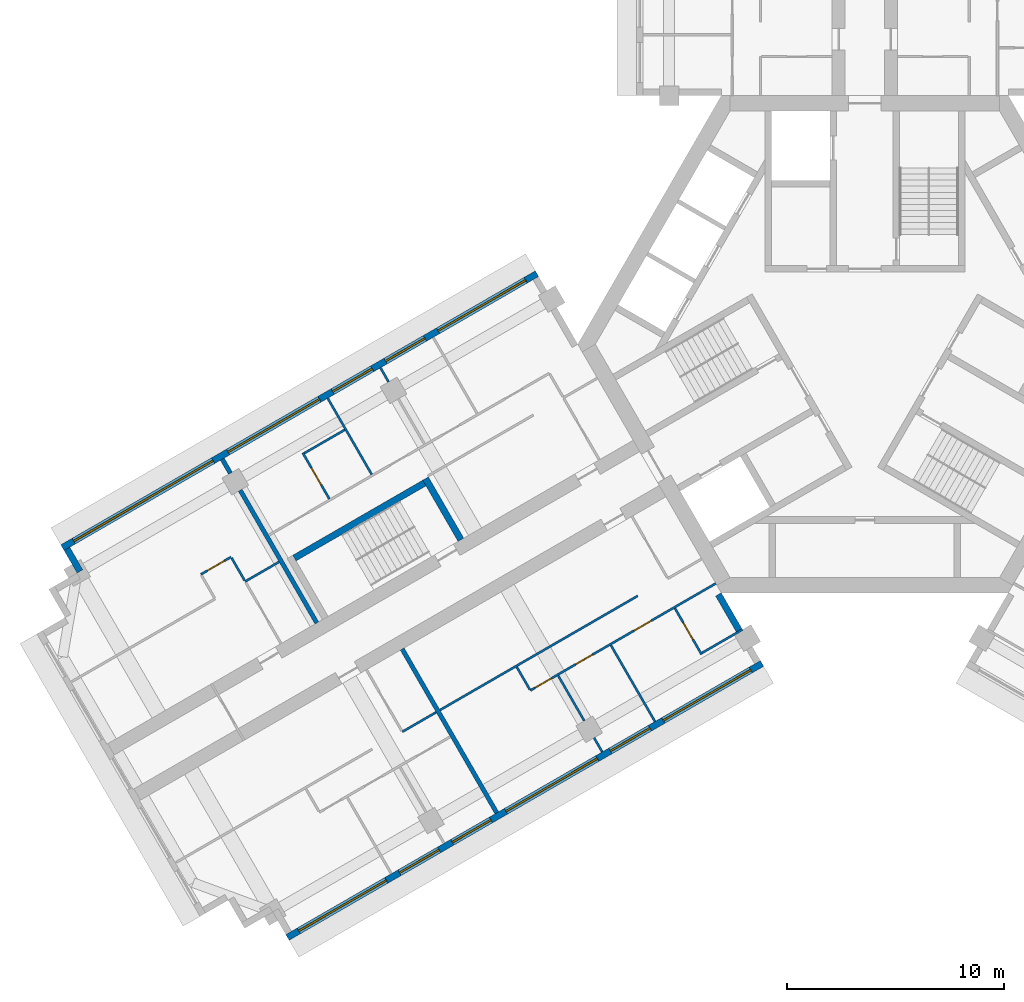
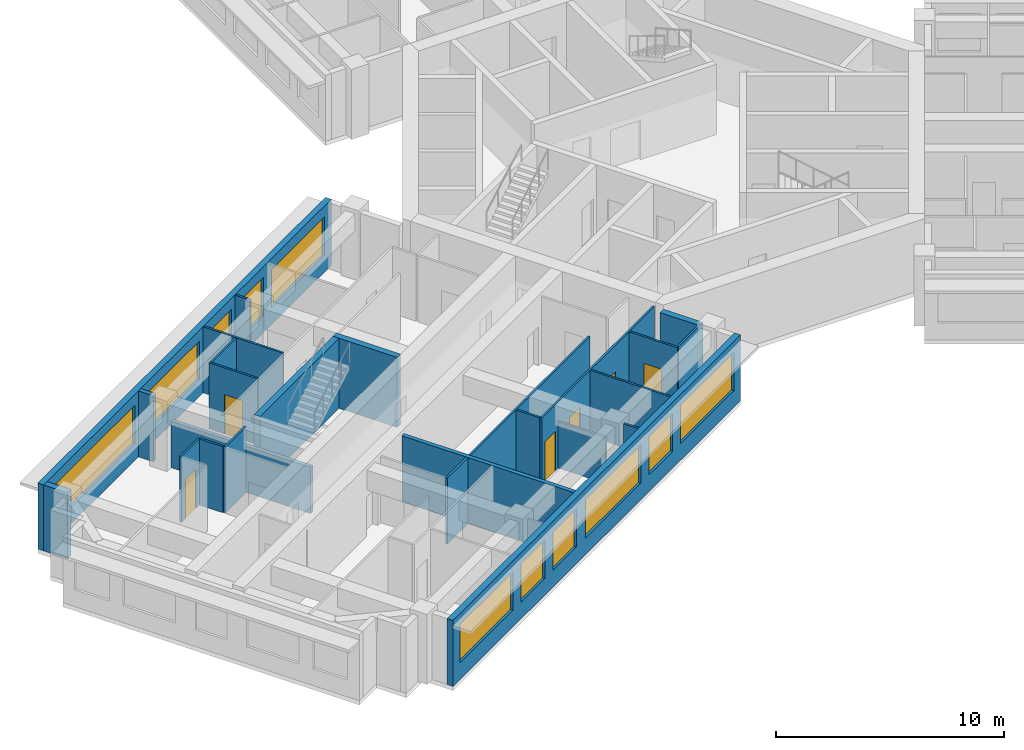
# One storey, part 3 of 11: 25 walls, 11 windows, 6 doors, 17 openings.
"""IFC4 building model written with IfcOpenShell, lengths in metres."""

import ifcopenshell
import ifcopenshell.guid

model = None  # the IFC model being written
_history = None  # IfcOwnerHistory: only IFC2X3 demands one
_inside = {}  # id of a spatial element -> (the spatial element, [elements in it])
_under = {}  # id of a project, library or spatial element -> (it, [spatial elements below it])
_declared = {}  # id of a project -> (the project, [libraries it declares])
_typed = {}  # id of a type object -> (the type object, [elements of that type])
_made_of = {}  # id of a material, layer set ... -> (it, [elements and type objects made of it])


def new_model(schema):
    """Start an empty IFC model of exactly this schema.

    Asked for "IFC4X3", IfcOpenShell would pick the latest addendum, in which some entities
    have other attributes; the version numbers below select the first issue.
    IFC2X3 requires an IfcOwnerHistory on every rooted entity: one is made here for all.
    """
    global model, _history
    if schema == "IFC4X3":
        model = ifcopenshell.file(schema_version=(4, 3, 0, 0))
    else:
        model = ifcopenshell.file(schema=schema)
    _inside.clear()
    _under.clear()
    _declared.clear()
    _typed.clear()
    _made_of.clear()
    _history = None
    if model.schema == "IFC2X3":
        org = make("IfcOrganization", Name="unknown")
        user = make(
            "IfcPersonAndOrganization",
            ThePerson=make("IfcPerson", FamilyName="unknown"),
            TheOrganization=org,
        )
        app = make(
            "IfcApplication",
            ApplicationDeveloper=org,
            Version="unknown",
            ApplicationFullName="unknown",
            ApplicationIdentifier="unknown",
        )
        _history = make(
            "IfcOwnerHistory",
            OwningUser=user,
            OwningApplication=app,
            ChangeAction="ADDED",
            CreationDate=0,
        )
    return model


def make(cls, **values):
    """One entity of the class cls with the attributes given. An attribute that is None is left unset."""
    return model.create_entity(
        cls, **{name: value for name, value in values.items() if value is not None}
    )


def rooted(cls, **values):
    """An entity with a GlobalId (a new one), such as an element, a storey or a relation."""
    return make(cls, GlobalId=ifcopenshell.guid.new(), OwnerHistory=_history, **values)


def si_unit(unit_type, name, prefix=None):
    """IfcSIUnit, for example si_unit("LENGTHUNIT", "METRE", prefix="MILLI")."""
    return make("IfcSIUnit", UnitType=unit_type, Prefix=prefix, Name=name)


def assignment(units):
    """IfcUnitAssignment: the units of a project."""
    return None if units is None else make("IfcUnitAssignment", Units=units)


def point(xyz):
    """IfcCartesianPoint."""
    return None if xyz is None else make("IfcCartesianPoint", Coordinates=xyz)


def direction(xyz):
    """IfcDirection."""
    return None if xyz is None else make("IfcDirection", DirectionRatios=xyz)


def frame(location, z_axis=None, x_axis=None):
    """IfcAxis2Placement3D, a coordinate frame: its origin and axes. An axis left out is left unset."""
    return make(
        "IfcAxis2Placement3D",
        Location=point(location),
        Axis=direction(z_axis),
        RefDirection=direction(x_axis),
    )


def frame_2d(location, x_axis=None):
    """IfcAxis2Placement2D, a coordinate frame in the plane: its origin and x axis."""
    return make(
        "IfcAxis2Placement2D", Location=point(location), RefDirection=direction(x_axis)
    )


def origin():
    """The frame at (0, 0, 0) with its axes left unset."""
    return frame((0.0, 0.0, 0.0))


def place(relative_to, where):
    """IfcLocalPlacement: puts the frame where relative to a parent placement (None: the world)."""
    return make(
        "IfcLocalPlacement", PlacementRelTo=relative_to, RelativePlacement=where
    )


def context(
    kind, dimensions, precision=None, world=None, true_north=None, identifier=None
):
    """IfcGeometricRepresentationContext, for example the 3D "Model" context."""
    return make(
        "IfcGeometricRepresentationContext",
        ContextIdentifier=identifier,
        ContextType=kind,
        CoordinateSpaceDimension=dimensions,
        Precision=precision,
        WorldCoordinateSystem=world,
        TrueNorth=true_north,
    )


def subcontext(parent, identifier, kind, view, scale=None):
    """IfcGeometricRepresentationSubContext, for example "Body" below "Model"."""
    return make(
        "IfcGeometricRepresentationSubContext",
        ContextIdentifier=identifier,
        ContextType=kind,
        ParentContext=parent,
        TargetScale=scale,
        TargetView=view,
    )


def project(units=None, contexts=None):
    """IfcProject with its units and contexts."""
    return rooted(
        "IfcProject",
        Name="project",
        RepresentationContexts=contexts,
        UnitsInContext=assignment(units),
    )


def spatial(cls, under=None, at=None, **own):
    """A site, building, storey or space (cls), placed at a placement, below another one or the project."""
    s = rooted(cls, ObjectPlacement=at, **own)
    if under is not None:
        _under.setdefault(under.id(), (under, []))[1].append(s)
    return s


def profile(cls, at=None, kind="AREA", **sizes):
    """A parametric profile (cls). Its sizes go by their IFC names, for example OverallWidth=200.0."""
    return make(cls, ProfileType=kind, Position=at, **sizes)


def rectangle(**sizes):
    """IfcRectangleProfileDef."""
    return profile("IfcRectangleProfileDef", **sizes)


def extrude(swept, where, along, depth):
    """IfcExtrudedAreaSolid: the profile swept, set in the frame where, extruded along a direction by depth."""
    return make(
        "IfcExtrudedAreaSolid",
        SweptArea=swept,
        Position=where,
        ExtrudedDirection=direction(along),
        Depth=depth,
    )


def shape(context_of_items, identifier, shape_type, items):
    """IfcShapeRepresentation: the items that make up one representation, for example the "Body"."""
    return make(
        "IfcShapeRepresentation",
        ContextOfItems=context_of_items,
        RepresentationIdentifier=identifier,
        RepresentationType=shape_type,
        Items=items,
    )


def material(Name=None, Category=None):
    """IfcMaterial."""
    return make("IfcMaterial", Name=Name, Category=Category)


def layer(
    of_material, thickness, ventilated=None, Name=None, Category=None, Priority=None
):
    """IfcMaterialLayer: one layer of a wall or slab, of a material (None: an air gap)."""
    return make(
        "IfcMaterialLayer",
        Material=of_material,
        LayerThickness=thickness,
        IsVentilated=ventilated,
        Name=Name,
        Category=Category,
        Priority=Priority,
    )


def layer_set(layers, Name=None):
    """IfcMaterialLayerSet."""
    return make("IfcMaterialLayerSet", MaterialLayers=layers, LayerSetName=Name)


def made_of(thing, what):
    """Note that an element or type object is made of a material, layer set ...; save() writes the relation."""
    if what is not None:
        _made_of.setdefault(what.id(), (what, []))[1].append(thing)
    return thing


def type_object(cls, material=None, **own):
    """A type object (cls), such as IfcWallType, which elements share."""
    return made_of(rooted(cls, **own), material)


def element(
    cls,
    number,
    at=None,
    inside=None,
    cuts=None,
    type_object=None,
    material=None,
    context=None,
    identifier="Body",
    shape_type=None,
    held_by="IfcProductDefinitionShape",
    body=None,
    shapes=None,
    **own,
):
    """One element of the class cls, such as IfcWall. Its Tag is "e" and its number.

    at: its placement. inside: the storey or other place that contains it. cuts: it is an
    opening in that element (IfcRelVoidsElement). A single representation is given by context,
    identifier, shape_type and body (its items); several are given by shapes. held_by: the class
    of the entity that holds the representations. save() writes the other relations.
    """
    e = rooted(cls, Tag="e%d" % number, ObjectPlacement=at, **own)
    if body is not None:
        shapes = [shape(context, identifier, shape_type, body)]
    if shapes is not None:
        e.Representation = make(held_by, Representations=shapes)
    if inside is not None:
        _inside.setdefault(inside.id(), (inside, []))[1].append(e)
    if cuts is not None:
        rooted(
            "IfcRelVoidsElement", RelatingBuildingElement=cuts, RelatedOpeningElement=e
        )
    if type_object is not None:
        _typed.setdefault(type_object.id(), (type_object, []))[1].append(e)
    return made_of(e, material)


def fill(opening, filler):
    """IfcRelFillsElement: the door or window that sits in an opening."""
    return rooted(
        "IfcRelFillsElement",
        RelatingOpeningElement=opening,
        RelatedBuildingElement=filler,
    )


def aggregate(whole, parts):
    """IfcRelAggregates: a whole, such as a stair, and the parts it consists of."""
    return rooted("IfcRelAggregates", RelatingObject=whole, RelatedObjects=parts)


def save(model, path):
    """Write the relations noted so far, then the file.

    IfcRelAggregates (storeys below a building ...), IfcRelContainedInSpatialStructure (elements
    in a storey), IfcRelDefinesByType, IfcRelAssociatesMaterial and IfcRelDeclares: one each for
    every whole, place, type object, material and project.
    """
    for whole, parts in _under.values():
        aggregate(whole, parts)
    for where, things in _inside.values():
        rooted(
            "IfcRelContainedInSpatialStructure",
            RelatedElements=things,
            RelatingStructure=where,
        )
    for kind, things in _typed.values():
        rooted("IfcRelDefinesByType", RelatedObjects=things, RelatingType=kind)
    for what, things in _made_of.values():
        rooted("IfcRelAssociatesMaterial", RelatedObjects=things, RelatingMaterial=what)
    for by, libraries in _declared.values():
        rooted("IfcRelDeclares", RelatingContext=by, RelatedDefinitions=libraries)
    model.write(path)


model = new_model("IFC4")

# Units and contexts
model_context = context("Model", 3, precision=1e-05, world=origin(), true_north=direction((0.0, 1.0)))
body_context = subcontext(model_context, "Body", "Model", "MODEL_VIEW")
ifc_project = project(units=[si_unit("LENGTHUNIT", "METRE"), si_unit("AREAUNIT", "SQUARE_METRE"), si_unit("VOLUMEUNIT", "CUBIC_METRE"), si_unit("PLANEANGLEUNIT", "RADIAN"), si_unit("MASSUNIT", "GRAM", prefix="KILO")], contexts=[model_context])

# Site, building, storey
site_placement = place(None, origin())
site = spatial("IfcSite", under=ifc_project, at=site_placement, CompositionType="ELEMENT")
building_placement = place(site_placement, origin())
building = spatial("IfcBuilding", under=site, at=building_placement, Name="Impinga Residences", CompositionType="ELEMENT")
storey_placement = place(building_placement, frame((0.0, 0.0, 207.25)))
storey = spatial("IfcBuildingStorey", under=building, at=storey_placement, Name="L51", CompositionType="ELEMENT", Elevation=207.25)

# Wall
ifc_material_1 = material(Name="Terracotta rainscreen on blockwork", Category="masonry")
ifc_layer_1 = layer(ifc_material_1, 0.300048828125)
ifc_layer_set_1 = layer_set([ifc_layer_1], Name="EW1 external wall, terracotta rainscreen on blockwork 300")
wall_type_1 = type_object("IfcWallType", Name="EW1 external wall, terracotta rainscreen on blockwork 300", PredefinedType="SOLIDWALL", material=ifc_layer_set_1)
wall_1_placement = place(storey_placement, frame((-36.093994140625, -10.446533203125, 0.0), z_axis=(0.0, 0.0, 1.0), x_axis=(-0.499880961361, 0.866094119867, 0.0)))
element("IfcWall", 1, at=wall_1_placement, inside=storey, type_object=wall_type_1, Name="External wall EW1 L51", PredefinedType="SOLIDWALL", context=body_context, shape_type="SweptSolid", body=[
    extrude(rectangle(XDim=1.199951171875, YDim=0.300048828125, at=frame_2d((0.60009765625, 0.0))), origin(), (0.0, 0.0, 1.0), 3.530029296875),
])

# Wall, openings, windows
wall_2_placement = place(storey_placement, frame((-36.89892578125, -9.352294921875, 0.0), z_axis=(0.0, 0.0, 1.0), x_axis=(0.86602925447, 0.499993330357, 0.0)))
wall_2 = element("IfcWall", 2, at=wall_2_placement, inside=storey, type_object=wall_type_1, Name="External wall EW1 L51", PredefinedType="SOLIDWALL", context=body_context, shape_type="SweptSolid", body=[
    extrude(rectangle(XDim=25.199951171875, YDim=0.300048828125, at=frame_2d((12.60009765625, 0.0))), origin(), (0.0, 0.0, 1.0), 3.530029296875),
])
opening_1_placement = place(wall_2_placement, frame((0.60009765625, 0.0, 0.89990234375)))
opening_1 = element("IfcOpeningElement", 3, at=opening_1_placement, cuts=wall_2, Name="Opening W12", PredefinedType="OPENING", context=body_context, shape_type="SweptSolid", body=[
    extrude(rectangle(XDim=7.39990234375, YDim=2.050048828125, at=frame_2d((3.699951171875, 1.02490234375))), frame((0.0, 0.159912109375, 0.0), z_axis=(0.0, -1.0, 0.0), x_axis=(1.0, 0.0, 0.0)), (0.0, 0.0, 1.0), 0.320068359375),
])
opening_2_placement = place(wall_2_placement, frame((8.800048828125, 0.0, 0.89990234375)))
opening_2 = element("IfcOpeningElement", 4, at=opening_2_placement, cuts=wall_2, Name="Opening W6", PredefinedType="OPENING", context=body_context, shape_type="SweptSolid", body=[
    extrude(rectangle(XDim=4.85009765625, YDim=2.050048828125, at=frame_2d((2.425048828125, 1.02490234375))), frame((0.0, 0.159912109375, 0.0), z_axis=(0.0, -1.0, 0.0), x_axis=(1.0, 0.0, 0.0)), (0.0, 0.0, 1.0), 0.320068359375),
])
opening_3_placement = place(wall_2_placement, frame((14.35009765625, 0.0, 0.89990234375)))
opening_3 = element("IfcOpeningElement", 5, at=opening_3_placement, cuts=wall_2, Name="Opening W9", PredefinedType="OPENING", context=body_context, shape_type="SweptSolid", body=[
    extrude(rectangle(XDim=2.10009765625, YDim=2.050048828125, at=frame_2d((1.050048828125, 1.02490234375))), frame((0.0, 0.159912109375, 0.0), z_axis=(0.0, -1.0, 0.0), x_axis=(1.0, 0.0, 0.0)), (0.0, 0.0, 1.0), 0.320068359375),
])
opening_4_placement = place(wall_2_placement, frame((17.14990234375, 0.0, 0.89990234375)))
opening_4 = element("IfcOpeningElement", 6, at=opening_4_placement, cuts=wall_2, Name="Opening W9", PredefinedType="OPENING", context=body_context, shape_type="SweptSolid", body=[
    extrude(rectangle(XDim=2.10009765625, YDim=2.050048828125, at=frame_2d((1.050048828125, 1.02490234375))), frame((0.0, 0.159912109375, 0.0), z_axis=(0.0, -1.0, 0.0), x_axis=(1.0, 0.0, 0.0)), (0.0, 0.0, 1.0), 0.320068359375),
])
opening_5_placement = place(wall_2_placement, frame((19.949951171875, 0.0, 0.89990234375)))
opening_5 = element("IfcOpeningElement", 7, at=opening_5_placement, cuts=wall_2, Name="Opening W10", PredefinedType="OPENING", context=body_context, shape_type="SweptSolid", body=[
    extrude(rectangle(XDim=4.64990234375, YDim=2.050048828125, at=frame_2d((2.324951171875, 1.02490234375))), frame((0.0, 0.159912109375, 0.0), z_axis=(0.0, -1.0, 0.0), x_axis=(1.0, 0.0, 0.0)), (0.0, 0.0, 1.0), 0.320068359375),
])
ifc_material_2 = material(Name="Aluminium window, clear double glazing", Category="aluminium")
window_type_1 = type_object("IfcWindowType", Name="W10 ribbon window 4650x2050", PartitioningType="SINGLE_PANEL", PredefinedType="WINDOW", material=ifc_material_2)
window_1_placement = place(opening_5_placement, origin())
window_1 = element("IfcWindow", 8, at=window_1_placement, inside=storey, type_object=window_type_1, Name="Window L51", OverallHeight=2.050048828125, OverallWidth=4.64990234375, PartitioningType="SINGLE_PANEL", PredefinedType="WINDOW", context=body_context, shape_type="SweptSolid", body=[
    extrude(rectangle(XDim=4.64990234375, YDim=2.050048828125, at=frame_2d((2.324951171875, 1.02490234375))), frame((0.0, 0.030029296875, 0.0), z_axis=(0.0, -1.0, 0.0), x_axis=(1.0, 0.0, 0.0)), (0.0, 0.0, 1.0), 0.06005859375),
])
fill(opening_5, window_1)
window_type_2 = type_object("IfcWindowType", Name="W12 ribbon window 7400x2050", PartitioningType="SINGLE_PANEL", PredefinedType="WINDOW", material=ifc_material_2)
window_2_placement = place(opening_1_placement, origin())
window_2 = element("IfcWindow", 9, at=window_2_placement, inside=storey, type_object=window_type_2, Name="Window L51", OverallHeight=2.050048828125, OverallWidth=7.39990234375, PartitioningType="SINGLE_PANEL", PredefinedType="WINDOW", context=body_context, shape_type="SweptSolid", body=[
    extrude(rectangle(XDim=7.39990234375, YDim=2.050048828125, at=frame_2d((3.699951171875, 1.02490234375))), frame((0.0, 0.030029296875, 0.0), z_axis=(0.0, -1.0, 0.0), x_axis=(1.0, 0.0, 0.0)), (0.0, 0.0, 1.0), 0.06005859375),
])
fill(opening_1, window_2)
window_type_3 = type_object("IfcWindowType", Name="W6 ribbon window 4850x2050", PartitioningType="SINGLE_PANEL", PredefinedType="WINDOW", material=ifc_material_2)
window_3_placement = place(opening_2_placement, origin())
window_3 = element("IfcWindow", 10, at=window_3_placement, inside=storey, type_object=window_type_3, Name="Window L51", OverallHeight=2.050048828125, OverallWidth=4.85009765625, PartitioningType="SINGLE_PANEL", PredefinedType="WINDOW", context=body_context, shape_type="SweptSolid", body=[
    extrude(rectangle(XDim=4.85009765625, YDim=2.050048828125, at=frame_2d((2.425048828125, 1.02490234375))), frame((0.0, 0.030029296875, 0.0), z_axis=(0.0, -1.0, 0.0), x_axis=(1.0, 0.0, 0.0)), (0.0, 0.0, 1.0), 0.06005859375),
])
fill(opening_2, window_3)
window_type_4 = type_object("IfcWindowType", Name="W9 ribbon window 2100x2050", PartitioningType="SINGLE_PANEL", PredefinedType="WINDOW", material=ifc_material_2)
window_4_placement = place(opening_3_placement, origin())
window_4 = element("IfcWindow", 11, at=window_4_placement, inside=storey, type_object=window_type_4, Name="Window L51", OverallHeight=2.050048828125, OverallWidth=2.10009765625, PartitioningType="SINGLE_PANEL", PredefinedType="WINDOW", context=body_context, shape_type="SweptSolid", body=[
    extrude(rectangle(XDim=2.10009765625, YDim=2.050048828125, at=frame_2d((1.050048828125, 1.02490234375))), frame((0.0, 0.030029296875, 0.0), z_axis=(0.0, -1.0, 0.0), x_axis=(1.0, 0.0, 0.0)), (0.0, 0.0, 1.0), 0.06005859375),
])
fill(opening_3, window_4)
window_5_placement = place(opening_4_placement, origin())
window_5 = element("IfcWindow", 12, at=window_5_placement, inside=storey, type_object=window_type_4, Name="Window L51", OverallHeight=2.050048828125, OverallWidth=2.10009765625, PartitioningType="SINGLE_PANEL", PredefinedType="WINDOW", context=body_context, shape_type="SweptSolid", body=[
    extrude(rectangle(XDim=2.10009765625, YDim=2.050048828125, at=frame_2d((1.050048828125, 1.02490234375))), frame((0.0, 0.030029296875, 0.0), z_axis=(0.0, -1.0, 0.0), x_axis=(1.0, 0.0, 0.0)), (0.0, 0.0, 1.0), 0.06005859375),
])
fill(opening_4, window_5)

# Wall
wall_3_placement = place(storey_placement, frame((-6.72998046875, -11.506591796875, 0.0), z_axis=(0.0, 0.0, 1.0), x_axis=(0.500043961785, -0.866000020948, 0.0)))
element("IfcWall", 13, at=wall_3_placement, inside=storey, type_object=wall_type_1, Name="External wall EW1 L51", PredefinedType="SOLIDWALL", context=body_context, shape_type="SweptSolid", body=[
    extrude(rectangle(XDim=1.949951171875, YDim=0.300048828125, at=frame_2d((0.97509765625, 0.0))), origin(), (0.0, 0.0, 1.0), 3.530029296875),
])

# Wall, openings, windows
wall_4_placement = place(storey_placement, frame((-4.72509765625, -14.67919921875, 0.0), z_axis=(0.0, 0.0, 1.0), x_axis=(-0.866026832479, -0.499997525421, 0.0)))
wall_4 = element("IfcWall", 14, at=wall_4_placement, inside=storey, type_object=wall_type_1, Name="External wall EW1 L51", PredefinedType="SOLIDWALL", context=body_context, shape_type="SweptSolid", body=[
    extrude(rectangle(XDim=25.199951171875, YDim=0.300048828125, at=frame_2d((12.60009765625, 0.0))), origin(), (0.0, 0.0, 1.0), 3.530029296875),
])
opening_6_placement = place(wall_4_placement, frame((0.60009765625, 0.0, 0.89990234375)))
opening_6 = element("IfcOpeningElement", 15, at=opening_6_placement, cuts=wall_4, Name="Opening W10", PredefinedType="OPENING", context=body_context, shape_type="SweptSolid", body=[
    extrude(rectangle(XDim=4.64990234375, YDim=2.050048828125, at=frame_2d((2.324951171875, 1.02490234375))), frame((0.0, 0.159912109375, 0.0), z_axis=(0.0, -1.0, 0.0), x_axis=(1.0, 0.0, 0.0)), (0.0, 0.0, 1.0), 0.320068359375),
])
opening_7_placement = place(wall_4_placement, frame((5.949951171875, 0.0, 0.89990234375)))
opening_7 = element("IfcOpeningElement", 16, at=opening_7_placement, cuts=wall_4, Name="Opening W9", PredefinedType="OPENING", context=body_context, shape_type="SweptSolid", body=[
    extrude(rectangle(XDim=2.10009765625, YDim=2.050048828125, at=frame_2d((1.050048828125, 1.02490234375))), frame((0.0, 0.159912109375, 0.0), z_axis=(0.0, -1.0, 0.0), x_axis=(1.0, 0.0, 0.0)), (0.0, 0.0, 1.0), 0.320068359375),
])
opening_8_placement = place(wall_4_placement, frame((8.75, 0.0, 0.89990234375)))
opening_8 = element("IfcOpeningElement", 17, at=opening_8_placement, cuts=wall_4, Name="Opening W6", PredefinedType="OPENING", context=body_context, shape_type="SweptSolid", body=[
    extrude(rectangle(XDim=4.85009765625, YDim=2.050048828125, at=frame_2d((2.425048828125, 1.02490234375))), frame((0.0, 0.159912109375, 0.0), z_axis=(0.0, -1.0, 0.0), x_axis=(1.0, 0.0, 0.0)), (0.0, 0.0, 1.0), 0.320068359375),
])
opening_9_placement = place(wall_4_placement, frame((14.39990234375, 0.0, 0.89990234375)))
opening_9 = element("IfcOpeningElement", 18, at=opening_9_placement, cuts=wall_4, Name="Opening W14", PredefinedType="OPENING", context=body_context, shape_type="SweptSolid", body=[
    extrude(rectangle(XDim=2.050048828125, YDim=2.050048828125, at=frame_2d((1.02490234375, 1.02490234375))), frame((0.0, 0.159912109375, 0.0), z_axis=(0.0, -1.0, 0.0), x_axis=(1.0, 0.0, 0.0)), (0.0, 0.0, 1.0), 0.320068359375),
])
opening_10_placement = place(wall_4_placement, frame((17.14990234375, 0.0, 0.89990234375)))
opening_10 = element("IfcOpeningElement", 19, at=opening_10_placement, cuts=wall_4, Name="Opening W9", PredefinedType="OPENING", context=body_context, shape_type="SweptSolid", body=[
    extrude(rectangle(XDim=2.10009765625, YDim=2.050048828125, at=frame_2d((1.050048828125, 1.02490234375))), frame((0.0, 0.159912109375, 0.0), z_axis=(0.0, -1.0, 0.0), x_axis=(1.0, 0.0, 0.0)), (0.0, 0.0, 1.0), 0.320068359375),
])
opening_11_placement = place(wall_4_placement, frame((19.949951171875, 0.0, 0.89990234375)))
opening_11 = element("IfcOpeningElement", 20, at=opening_11_placement, cuts=wall_4, Name="Opening W10", PredefinedType="OPENING", context=body_context, shape_type="SweptSolid", body=[
    extrude(rectangle(XDim=4.64990234375, YDim=2.050048828125, at=frame_2d((2.324951171875, 1.02490234375))), frame((0.0, 0.159912109375, 0.0), z_axis=(0.0, -1.0, 0.0), x_axis=(1.0, 0.0, 0.0)), (0.0, 0.0, 1.0), 0.320068359375),
])
window_6_placement = place(opening_6_placement, origin())
window_6 = element("IfcWindow", 21, at=window_6_placement, inside=storey, type_object=window_type_1, Name="Window L51", OverallHeight=2.050048828125, OverallWidth=4.64990234375, PartitioningType="SINGLE_PANEL", PredefinedType="WINDOW", context=body_context, shape_type="SweptSolid", body=[
    extrude(rectangle(XDim=4.64990234375, YDim=2.050048828125, at=frame_2d((2.324951171875, 1.02490234375))), frame((0.0, 0.030029296875, 0.0), z_axis=(0.0, -1.0, 0.0), x_axis=(1.0, 0.0, 0.0)), (0.0, 0.0, 1.0), 0.06005859375),
])
fill(opening_6, window_6)
window_7_placement = place(opening_11_placement, origin())
window_7 = element("IfcWindow", 22, at=window_7_placement, inside=storey, type_object=window_type_1, Name="Window L51", OverallHeight=2.050048828125, OverallWidth=4.64990234375, PartitioningType="SINGLE_PANEL", PredefinedType="WINDOW", context=body_context, shape_type="SweptSolid", body=[
    extrude(rectangle(XDim=4.64990234375, YDim=2.050048828125, at=frame_2d((2.324951171875, 1.02490234375))), frame((0.0, 0.030029296875, 0.0), z_axis=(0.0, -1.0, 0.0), x_axis=(1.0, 0.0, 0.0)), (0.0, 0.0, 1.0), 0.06005859375),
])
fill(opening_11, window_7)
window_type_5 = type_object("IfcWindowType", Name="W14 ribbon window 2050x2050", PartitioningType="SINGLE_PANEL", PredefinedType="WINDOW", material=ifc_material_2)
window_8_placement = place(opening_9_placement, origin())
window_8 = element("IfcWindow", 23, at=window_8_placement, inside=storey, type_object=window_type_5, Name="Window L51", OverallHeight=2.050048828125, OverallWidth=2.050048828125, PartitioningType="SINGLE_PANEL", PredefinedType="WINDOW", context=body_context, shape_type="SweptSolid", body=[
    extrude(rectangle(XDim=2.050048828125, YDim=2.050048828125, at=frame_2d((1.02490234375, 1.02490234375))), frame((0.0, 0.030029296875, 0.0), z_axis=(0.0, -1.0, 0.0), x_axis=(1.0, 0.0, 0.0)), (0.0, 0.0, 1.0), 0.06005859375),
])
fill(opening_9, window_8)
window_9_placement = place(opening_8_placement, origin())
window_9 = element("IfcWindow", 24, at=window_9_placement, inside=storey, type_object=window_type_3, Name="Window L51", OverallHeight=2.050048828125, OverallWidth=4.85009765625, PartitioningType="SINGLE_PANEL", PredefinedType="WINDOW", context=body_context, shape_type="SweptSolid", body=[
    extrude(rectangle(XDim=4.85009765625, YDim=2.050048828125, at=frame_2d((2.425048828125, 1.02490234375))), frame((0.0, 0.030029296875, 0.0), z_axis=(0.0, -1.0, 0.0), x_axis=(1.0, 0.0, 0.0)), (0.0, 0.0, 1.0), 0.06005859375),
])
fill(opening_8, window_9)
window_10_placement = place(opening_7_placement, origin())
window_10 = element("IfcWindow", 25, at=window_10_placement, inside=storey, type_object=window_type_4, Name="Window L51", OverallHeight=2.050048828125, OverallWidth=2.10009765625, PartitioningType="SINGLE_PANEL", PredefinedType="WINDOW", context=body_context, shape_type="SweptSolid", body=[
    extrude(rectangle(XDim=2.10009765625, YDim=2.050048828125, at=frame_2d((1.050048828125, 1.02490234375))), frame((0.0, 0.030029296875, 0.0), z_axis=(0.0, -1.0, 0.0), x_axis=(1.0, 0.0, 0.0)), (0.0, 0.0, 1.0), 0.06005859375),
])
fill(opening_7, window_10)
window_11_placement = place(opening_10_placement, origin())
window_11 = element("IfcWindow", 26, at=window_11_placement, inside=storey, type_object=window_type_4, Name="Window L51", OverallHeight=2.050048828125, OverallWidth=2.10009765625, PartitioningType="SINGLE_PANEL", PredefinedType="WINDOW", context=body_context, shape_type="SweptSolid", body=[
    extrude(rectangle(XDim=2.10009765625, YDim=2.050048828125, at=frame_2d((1.050048828125, 1.02490234375))), frame((0.0, 0.030029296875, 0.0), z_axis=(0.0, -1.0, 0.0), x_axis=(1.0, 0.0, 0.0)), (0.0, 0.0, 1.0), 0.06005859375),
])
fill(opening_10, window_11)

# Wall
ifc_material_3 = material(Name="Gypsum board on steel studs", Category="steel")
ifc_layer_2 = layer(ifc_material_3, 0.10009765625)
ifc_layer_set_2 = layer_set([ifc_layer_2], Name="Gypsum board on steel studs")
wall_type_2 = type_object("IfcWallType", Name="IP1 partition 100", PredefinedType="PARTITIONING", material=ifc_layer_set_2)
wall_5_placement = place(storey_placement, frame((-10.444580078125, -11.57275390625, 0.0), z_axis=(0.0, 0.0, 1.0), x_axis=(-0.866025284237, -0.500000207062, 0.0)))
element("IfcWall", 27, at=wall_5_placement, inside=storey, type_object=wall_type_2, Name="Partition L51-WA1:DIV1", PredefinedType="PARTITIONING", context=body_context, shape_type="SweptSolid", body=[
    extrude(rectangle(XDim=10.5, YDim=0.10009765625, at=frame_2d((5.25, 0.0))), origin(), (0.0, 0.0, 1.0), 3.530029296875),
])

# Wall, openings, doors
wall_6_placement = place(storey_placement, frame((-6.85009765625, -10.99853515625, 0.0), z_axis=(0.0, 0.0, 1.0), x_axis=(-0.866021308241, -0.500007093622, 0.0)))
wall_6 = element("IfcWall", 28, at=wall_6_placement, inside=storey, type_object=wall_type_2, Name="Partition L51-WA1:STRIP", PredefinedType="PARTITIONING", context=body_context, shape_type="SweptSolid", body=[
    extrude(rectangle(XDim=9.849853515625, YDim=0.10009765625, at=frame_2d((4.9248046875, 0.0))), origin(), (0.0, 0.0, 1.0), 3.530029296875),
])
opening_12_placement = place(wall_6_placement, frame((3.449951171875, 0.0, 0.0)))
opening_12 = element("IfcOpeningElement", 29, at=opening_12_placement, cuts=wall_6, Name="Opening D2", PredefinedType="OPENING", context=body_context, shape_type="SweptSolid", body=[
    extrude(rectangle(XDim=0.89990234375, YDim=2.10009765625, at=frame_2d((0.449951171875, 1.050048828125))), frame((0.0, 0.06005859375, 0.0), z_axis=(0.0, -1.0, 0.0), x_axis=(1.0, 0.0, 0.0)), (0.0, 0.0, 1.0), 0.1201171875),
])
opening_13_placement = place(wall_6_placement, frame((6.550048828125, 0.0, 0.0)))
opening_13 = element("IfcOpeningElement", 30, at=opening_13_placement, cuts=wall_6, Name="Opening D2", PredefinedType="OPENING", context=body_context, shape_type="SweptSolid", body=[
    extrude(rectangle(XDim=0.89990234375, YDim=2.10009765625, at=frame_2d((0.449951171875, 1.050048828125))), frame((0.0, 0.06005859375, 0.0), z_axis=(0.0, -1.0, 0.0), x_axis=(1.0, 0.0, 0.0)), (0.0, 0.0, 1.0), 0.1201171875),
])
opening_14_placement = place(wall_6_placement, frame((8.699951171875, 0.0, 0.0)))
opening_14 = element("IfcOpeningElement", 31, at=opening_14_placement, cuts=wall_6, Name="Opening D2", PredefinedType="OPENING", context=body_context, shape_type="SweptSolid", body=[
    extrude(rectangle(XDim=0.89990234375, YDim=2.10009765625, at=frame_2d((0.449951171875, 1.050048828125))), frame((0.0, 0.06005859375, 0.0), z_axis=(0.0, -1.0, 0.0), x_axis=(1.0, 0.0, 0.0)), (0.0, 0.0, 1.0), 0.1201171875),
])
ifc_material_4 = material(Name="Timber door set", Category="wood")
door_type = type_object("IfcDoorType", Name="D2 internal door 900x2100", OperationType="SINGLE_SWING_LEFT", PredefinedType="DOOR", material=ifc_material_4)
door_1_placement = place(opening_12_placement, origin())
door_1 = element("IfcDoor", 32, at=door_1_placement, inside=storey, type_object=door_type, Name="Apartment L51-WA1 room door", OperationType="SINGLE_SWING_LEFT", OverallHeight=2.10009765625, OverallWidth=0.89990234375, PredefinedType="DOOR", context=body_context, shape_type="SweptSolid", body=[
    extrude(rectangle(XDim=0.89990234375, YDim=2.10009765625, at=frame_2d((0.449951171875, 1.050048828125))), frame((0.0, 0.02490234375, 0.0), z_axis=(0.0, -1.0, 0.0), x_axis=(1.0, 0.0, 0.0)), (0.0, 0.0, 1.0), 0.050048828125),
])
fill(opening_12, door_1)
door_2_placement = place(opening_13_placement, origin())
door_2 = element("IfcDoor", 33, at=door_2_placement, inside=storey, type_object=door_type, Name="Apartment L51-WA1 room door", OperationType="SINGLE_SWING_RIGHT", OverallHeight=2.10009765625, OverallWidth=0.89990234375, PredefinedType="DOOR", context=body_context, shape_type="SweptSolid", body=[
    extrude(rectangle(XDim=0.89990234375, YDim=2.10009765625, at=frame_2d((0.449951171875, 1.050048828125))), frame((0.0, 0.02490234375, 0.0), z_axis=(0.0, -1.0, 0.0), x_axis=(1.0, 0.0, 0.0)), (0.0, 0.0, 1.0), 0.050048828125),
])
fill(opening_13, door_2)
door_3_placement = place(opening_14_placement, origin())
door_3 = element("IfcDoor", 34, at=door_3_placement, inside=storey, type_object=door_type, Name="Apartment L51-WA1 room door", OperationType="SINGLE_SWING_RIGHT", OverallHeight=2.10009765625, OverallWidth=0.89990234375, PredefinedType="DOOR", context=body_context, shape_type="SweptSolid", body=[
    extrude(rectangle(XDim=0.89990234375, YDim=2.10009765625, at=frame_2d((0.449951171875, 1.050048828125))), frame((0.0, 0.02490234375, 0.0), z_axis=(0.0, -1.0, 0.0), x_axis=(1.0, 0.0, 0.0)), (0.0, 0.0, 1.0), 0.050048828125),
])
fill(opening_14, door_3)

# Walls
wall_7_placement = place(storey_placement, frame((-16.00537109375, -14.841064453125, 0.0), z_axis=(0.0, 0.0, 1.0), x_axis=(0.50012165622, -0.865955154139, 0.0)))
element("IfcWall", 35, at=wall_7_placement, inside=storey, type_object=wall_type_2, Name="Partition L51-WA1:SE1", PredefinedType="PARTITIONING", context=body_context, shape_type="SweptSolid", body=[
    extrude(rectangle(XDim=1.199951171875, YDim=0.10009765625, at=frame_2d((0.60009765625, 0.0))), origin(), (0.0, 0.0, 1.0), 3.530029296875),
])
wall_8_placement = place(storey_placement, frame((-11.6748046875, -13.841796875, 0.0), z_axis=(0.0, 0.0, 1.0), x_axis=(0.500035537042, -0.866004885491, 0.0)))
element("IfcWall", 36, at=wall_8_placement, inside=storey, type_object=wall_type_2, Name="Partition L51-WA1:OB1", PredefinedType="PARTITIONING", context=body_context, shape_type="SweptSolid", body=[
    extrude(rectangle(XDim=4.050048828125, YDim=0.10009765625, at=frame_2d((2.02490234375, 0.0))), origin(), (0.0, 0.0, 1.0), 3.530029296875),
])
wall_9_placement = place(storey_placement, frame((-14.099609375, -15.241943359375, 0.0), z_axis=(0.0, 0.0, 1.0), x_axis=(0.500001309137, -0.866024647952, 0.0)))
element("IfcWall", 37, at=wall_9_placement, inside=storey, type_object=wall_type_2, Name="Partition L51-WA1:OB2", PredefinedType="PARTITIONING", context=body_context, shape_type="SweptSolid", body=[
    extrude(rectangle(XDim=2.39990234375, YDim=0.10009765625, at=frame_2d((1.199951171875, 0.0))), origin(), (0.0, 0.0, 1.0), 2.47998046875),
])
wall_10_placement = place(storey_placement, frame((-12.44970703125, -18.099609375, 0.0), z_axis=(0.0, 0.0, 1.0), x_axis=(0.499919672301, -0.866071776036, 0.0)))
element("IfcWall", 38, at=wall_10_placement, inside=storey, type_object=wall_type_2, Name="Partition L51-WA1:OB2b", PredefinedType="PARTITIONING", context=body_context, shape_type="SweptSolid", body=[
    extrude(rectangle(XDim=0.75, YDim=0.10009765625, at=frame_2d((0.375, 0.0))), origin(), (0.0, 0.0, 1.0), 3.530029296875),
])

# Wall, opening, door
wall_11_placement = place(storey_placement, frame((-8.730224609375, -12.141845703125, 0.0), z_axis=(0.0, 0.0, 1.0), x_axis=(0.499943856944, -0.866057815567, 0.0)))
wall_11 = element("IfcWall", 39, at=wall_11_placement, inside=storey, type_object=wall_type_2, Name="Partition L51-WA1:EN1", PredefinedType="PARTITIONING", context=body_context, shape_type="SweptSolid", body=[
    extrude(rectangle(XDim=2.449951171875, YDim=0.10009765625, at=frame_2d((1.22509765625, 0.0))), origin(), (0.0, 0.0, 1.0), 3.530029296875),
])
opening_15_placement = place(wall_11_placement, frame((0.75, 0.0, 0.0)))
opening_15 = element("IfcOpeningElement", 40, at=opening_15_placement, cuts=wall_11, Name="Opening D2", PredefinedType="OPENING", context=body_context, shape_type="SweptSolid", body=[
    extrude(rectangle(XDim=0.89990234375, YDim=2.10009765625, at=frame_2d((0.449951171875, 1.050048828125))), frame((0.0, 0.06005859375, 0.0), z_axis=(0.0, -1.0, 0.0), x_axis=(1.0, 0.0, 0.0)), (0.0, 0.0, 1.0), 0.1201171875),
])
door_4_placement = place(opening_15_placement, origin())
door_4 = element("IfcDoor", 41, at=door_4_placement, inside=storey, type_object=door_type, Name="Apartment L51-WA1 en-suite door", OperationType="SINGLE_SWING_LEFT", OverallHeight=2.10009765625, OverallWidth=0.89990234375, PredefinedType="DOOR", context=body_context, shape_type="SweptSolid", body=[
    extrude(rectangle(XDim=0.89990234375, YDim=2.10009765625, at=frame_2d((0.449951171875, 1.050048828125))), frame((0.0, 0.02490234375, 0.0), z_axis=(0.0, -1.0, 0.0), x_axis=(1.0, 0.0, 0.0)), (0.0, 0.0, 1.0), 0.050048828125),
])
fill(opening_15, door_4)

# Walls
wall_12_placement = place(storey_placement, frame((-5.625, -13.120361328125, 0.0), z_axis=(0.0, 0.0, 1.0), x_axis=(-0.866047553582, -0.499961633463, 0.0)))
element("IfcWall", 42, at=wall_12_placement, inside=storey, type_object=wall_type_2, Name="Partition L51-WA1:EN2", PredefinedType="PARTITIONING", context=body_context, shape_type="SweptSolid", body=[
    extrude(rectangle(XDim=2.150146484375, YDim=0.10009765625, at=frame_2d((1.0751953125, 0.0))), origin(), (0.0, 0.0, 1.0), 3.530029296875),
])
wall_13_placement = place(storey_placement, frame((-19.7109375, -16.922607421875, 0.0), z_axis=(0.0, 0.0, 1.0), x_axis=(-0.865989075817, -0.500062916607, 0.0)))
element("IfcWall", 43, at=wall_13_placement, inside=storey, type_object=wall_type_2, Name="Partition L51-WA2:DIV0", PredefinedType="PARTITIONING", context=body_context, shape_type="SweptSolid", body=[
    extrude(rectangle(XDim=1.800048828125, YDim=0.10009765625, at=frame_2d((0.89990234375, 0.0))), origin(), (0.0, 0.0, 1.0), 3.530029296875),
])
wall_14_placement = place(storey_placement, frame((-21.899658203125, -1.73193359375, 0.0), z_axis=(0.0, 0.0, 1.0), x_axis=(-0.499919672301, 0.866071776036, 0.0)))
element("IfcWall", 44, at=wall_14_placement, inside=storey, type_object=wall_type_2, Name="Partition L51-WF1:OB2b", PredefinedType="PARTITIONING", context=body_context, shape_type="SweptSolid", body=[
    extrude(rectangle(XDim=0.75, YDim=0.10009765625, at=frame_2d((0.375, 0.0))), origin(), (0.0, 0.0, 1.0), 3.530029296875),
])
wall_15_placement = place(storey_placement, frame((-22.674560546875, -5.98974609375, 0.0), z_axis=(0.0, 0.0, 1.0), x_axis=(-0.499990325971, 0.866030989016, 0.0)))
element("IfcWall", 45, at=wall_15_placement, inside=storey, type_object=wall_type_2, Name="Partition L51-WF1:OB3", PredefinedType="PARTITIONING", context=body_context, shape_type="SweptSolid", body=[
    extrude(rectangle(XDim=4.0498046875, YDim=0.10009765625, at=frame_2d((2.02490234375, 0.0))), origin(), (0.0, 0.0, 1.0), 3.530029296875),
])

# Wall, opening, door
wall_16_placement = place(storey_placement, frame((-24.623046875, -7.11474609375, 0.0), z_axis=(0.0, 0.0, 1.0), x_axis=(-0.500018594424, 0.866014668023, 0.0)))
wall_16 = element("IfcWall", 46, at=wall_16_placement, inside=storey, type_object=wall_type_2, Name="Partition L51-WF1:EN1", PredefinedType="PARTITIONING", context=body_context, shape_type="SweptSolid", body=[
    extrude(rectangle(XDim=2.4501953125, YDim=0.10009765625, at=frame_2d((1.22509765625, 0.0))), origin(), (0.0, 0.0, 1.0), 3.530029296875),
])
opening_16_placement = place(wall_16_placement, frame((0.75, 0.0, 0.0)))
opening_16 = element("IfcOpeningElement", 47, at=opening_16_placement, cuts=wall_16, Name="Opening D2", PredefinedType="OPENING", context=body_context, shape_type="SweptSolid", body=[
    extrude(rectangle(XDim=0.89990234375, YDim=2.10009765625, at=frame_2d((0.449951171875, 1.050048828125))), frame((0.0, 0.06005859375, 0.0), z_axis=(0.0, -1.0, 0.0), x_axis=(1.0, 0.0, 0.0)), (0.0, 0.0, 1.0), 0.1201171875),
])
door_5_placement = place(opening_16_placement, origin())
door_5 = element("IfcDoor", 48, at=door_5_placement, inside=storey, type_object=door_type, Name="Apartment L51-WF1 en-suite door", OperationType="SINGLE_SWING_LEFT", OverallHeight=2.10009765625, OverallWidth=0.89990234375, PredefinedType="DOOR", context=body_context, shape_type="SweptSolid", body=[
    extrude(rectangle(XDim=0.89990234375, YDim=2.10009765625, at=frame_2d((0.449951171875, 1.050048828125))), frame((0.0, 0.02490234375, 0.0), z_axis=(0.0, -1.0, 0.0), x_axis=(1.0, 0.0, 0.0)), (0.0, 0.0, 1.0), 0.050048828125),
])
fill(opening_16, door_5)

# Walls
wall_17_placement = place(storey_placement, frame((-23.917724609375, -3.936279296875, 0.0), z_axis=(0.0, 0.0, 1.0), x_axis=(-0.866047553582, -0.499961633463, 0.0)))
element("IfcWall", 49, at=wall_17_placement, inside=storey, type_object=wall_type_2, Name="Partition L51-WF1:EN2", PredefinedType="PARTITIONING", context=body_context, shape_type="SweptSolid", body=[
    extrude(rectangle(XDim=2.150146484375, YDim=0.10009765625, at=frame_2d((1.0751953125, 0.0))), origin(), (0.0, 0.0, 1.0), 3.530029296875),
])
wall_18_placement = place(storey_placement, frame((-26.935791015625, -10.0087890625, 0.0), z_axis=(0.0, 0.0, 1.0), x_axis=(-0.865989075817, -0.500062916607, 0.0)))
element("IfcWall", 50, at=wall_18_placement, inside=storey, type_object=wall_type_2, Name="Partition L51-WF2:DIV0", PredefinedType="PARTITIONING", context=body_context, shape_type="SweptSolid", body=[
    extrude(rectangle(XDim=1.800048828125, YDim=0.10009765625, at=frame_2d((0.89990234375, 0.0))), origin(), (0.0, 0.0, 1.0), 3.530029296875),
])

# Wall, opening, door
wall_19_placement = place(storey_placement, frame((-29.144775390625, -9.782958984375, 0.0), z_axis=(0.0, 0.0, 1.0), x_axis=(-0.865989903783, -0.500061482766, 0.0)))
wall_19 = element("IfcWall", 51, at=wall_19_placement, inside=storey, type_object=wall_type_2, Name="Partition L51-WF2:STRIP", PredefinedType="PARTITIONING", context=body_context, shape_type="SweptSolid", body=[
    extrude(rectangle(XDim=1.599853515625, YDim=0.10009765625, at=frame_2d((0.7998046875, 0.0))), origin(), (0.0, 0.0, 1.0), 3.530029296875),
])
opening_17_placement = place(wall_19_placement, frame((0.35009765625, 0.0, 0.0)))
opening_17 = element("IfcOpeningElement", 52, at=opening_17_placement, cuts=wall_19, Name="Opening D2", PredefinedType="OPENING", context=body_context, shape_type="SweptSolid", body=[
    extrude(rectangle(XDim=0.89990234375, YDim=2.10009765625, at=frame_2d((0.449951171875, 1.050048828125))), frame((0.0, 0.06005859375, 0.0), z_axis=(0.0, -1.0, 0.0), x_axis=(1.0, 0.0, 0.0)), (0.0, 0.0, 1.0), 0.1201171875),
])
door_6_placement = place(opening_17_placement, origin())
door_6 = element("IfcDoor", 53, at=door_6_placement, inside=storey, type_object=door_type, Name="Apartment L51-WF2 room door", OperationType="SINGLE_SWING_LEFT", OverallHeight=2.10009765625, OverallWidth=0.89990234375, PredefinedType="DOOR", context=body_context, shape_type="SweptSolid", body=[
    extrude(rectangle(XDim=0.89990234375, YDim=2.10009765625, at=frame_2d((0.449951171875, 1.050048828125))), frame((0.0, 0.02490234375, 0.0), z_axis=(0.0, -1.0, 0.0), x_axis=(1.0, 0.0, 0.0)), (0.0, 0.0, 1.0), 0.050048828125),
])
fill(opening_17, door_6)

# Walls
wall_20_placement = place(storey_placement, frame((-28.519775390625, -10.865478515625, 0.0), z_axis=(0.0, 0.0, 1.0), x_axis=(-0.499969057507, 0.866043267704, 0.0)))
element("IfcWall", 54, at=wall_20_placement, inside=storey, type_object=wall_type_2, Name="Partition L51-WF2:SE0", PredefinedType="PARTITIONING", context=body_context, shape_type="SweptSolid", body=[
    extrude(rectangle(XDim=1.19970703125, YDim=0.10009765625, at=frame_2d((0.599853515625, 0.0))), origin(), (0.0, 0.0, 1.0), 3.530029296875),
])
ifc_material_5 = material(Name="Concrete blockwork", Category="masonry")
ifc_layer_3 = layer(ifc_material_5, 0.199951171875)
ifc_layer_set_3 = layer_set([ifc_layer_3], Name="PW1 party wall between apartments 200")
wall_type_3 = type_object("IfcWallType", Name="PW1 party wall between apartments 200", PredefinedType="SOLIDWALL", material=ifc_layer_set_3)
wall_21_placement = place(storey_placement, frame((-21.2744140625, -14.014892578125, 0.0), z_axis=(0.0, 0.0, 1.0), x_axis=(0.500008278454, -0.866020624164, 0.0)))
element("IfcWall", 55, at=wall_21_placement, inside=storey, type_object=wall_type_3, Name="Party wall between apartments L51-WA1:PARTY", PredefinedType="SOLIDWALL", context=body_context, shape_type="SweptSolid", body=[
    extrude(rectangle(XDim=8.699951171875, YDim=0.199951171875, at=frame_2d((4.35009765625, 0.0))), origin(), (0.0, 0.0, 1.0), 3.530029296875),
])
wall_22_placement = place(storey_placement, frame((-25.19921875, -12.816650390625, 0.0), z_axis=(0.0, 0.0, 1.0), x_axis=(-0.499990246421, 0.866031034943, 0.0)))
element("IfcWall", 56, at=wall_22_placement, inside=storey, type_object=wall_type_3, Name="Party wall between apartments L51-WF1:PARTY", PredefinedType="SOLIDWALL", context=body_context, shape_type="SweptSolid", body=[
    extrude(rectangle(XDim=7.050048828125, YDim=0.199951171875, at=frame_2d((3.52490234375, 0.0))), origin(), (0.0, 0.0, 1.0), 2.47998046875),
])
wall_23_placement = place(storey_placement, frame((-29.17431640625, -5.931884765625, 0.0), z_axis=(0.0, 0.0, 1.0), x_axis=(-0.499919672301, 0.866071776036, 0.0)))
element("IfcWall", 57, at=wall_23_placement, inside=storey, type_object=wall_type_3, Name="Party wall between apartments L51-WF1:PARTYb", PredefinedType="SOLIDWALL", context=body_context, shape_type="SweptSolid", body=[
    extrude(rectangle(XDim=0.75, YDim=0.199951171875, at=frame_2d((0.375, 0.0))), origin(), (0.0, 0.0, 1.0), 3.530029296875),
])
ifc_material_6 = material(Name="Concrete C60/75", Category="concrete")
ifc_layer_4 = layer(ifc_material_6, 0.300048828125)
ifc_layer_set_4 = layer_set([ifc_layer_4], Name="Concrete C60/75")
wall_type_4 = type_object("IfcWallType", Name="SE1 wing stair enclosure wall 300", PredefinedType="SOLIDWALL", material=ifc_layer_set_4)
wall_24_placement = place(storey_placement, frame((-18.57421875, -8.99169921875, 0.0), z_axis=(0.0, 0.0, 1.0), x_axis=(-0.500017246033, 0.866015446554, 0.0)))
element("IfcWall", 58, at=wall_24_placement, inside=storey, type_object=wall_type_4, Name="Stair enclosure wall SE1 W END0 L51", PredefinedType="SOLIDWALL", context=body_context, shape_type="SweptSolid", body=[
    extrude(rectangle(XDim=3.25, YDim=0.300048828125, at=frame_2d((1.625, 0.0))), origin(), (0.0, 0.0, 1.0), 3.75),
])
wall_25_placement = place(storey_placement, frame((-20.254150390625, -6.382080078125, 0.0), z_axis=(0.0, 0.0, 1.0), x_axis=(-0.866020008033, -0.500009345598, 0.0)))
element("IfcWall", 59, at=wall_25_placement, inside=storey, type_object=wall_type_4, Name="Stair enclosure wall SE1 W OUT L51", PredefinedType="SOLIDWALL", context=body_context, shape_type="SweptSolid", body=[
    extrude(rectangle(XDim=6.899658203125, YDim=0.300048828125, at=frame_2d((3.44970703125, 0.0))), origin(), (0.0, 0.0, 1.0), 3.75),
])

save(model, "model.ifc")
